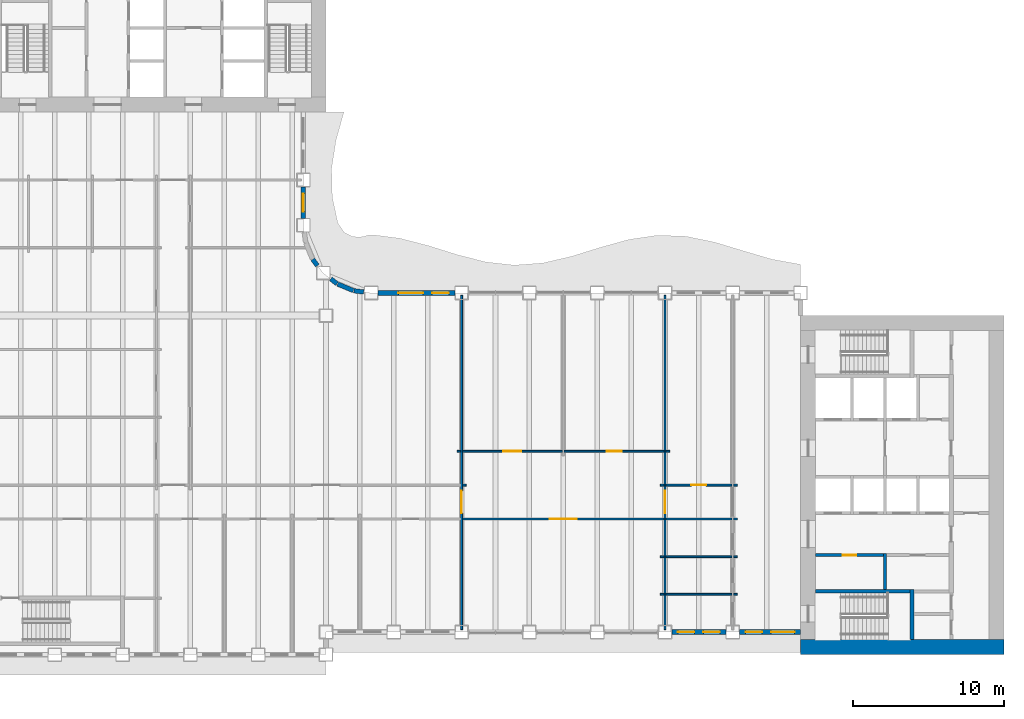
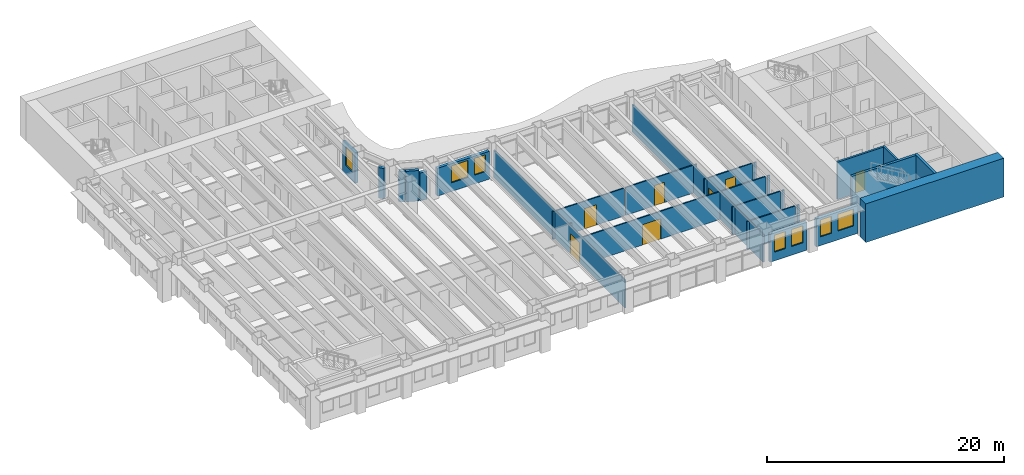
# One storey, part 7 of 17: 32 walls, 7 doors, 7 windows, 14 openings.
"""IFC4 building model written with IfcOpenShell, lengths in metres."""

import ifcopenshell
import ifcopenshell.guid

model = None  # the IFC model being written
_history = None  # IfcOwnerHistory: only IFC2X3 demands one
_inside = {}  # id of a spatial element -> (the spatial element, [elements in it])
_under = {}  # id of a project, library or spatial element -> (it, [spatial elements below it])
_declared = {}  # id of a project -> (the project, [libraries it declares])
_typed = {}  # id of a type object -> (the type object, [elements of that type])
_made_of = {}  # id of a material, layer set ... -> (it, [elements and type objects made of it])


def new_model(schema):
    """Start an empty IFC model of exactly this schema.

    Asked for "IFC4X3", IfcOpenShell would pick the latest addendum, in which some entities
    have other attributes; the version numbers below select the first issue.
    IFC2X3 requires an IfcOwnerHistory on every rooted entity: one is made here for all.
    """
    global model, _history
    if schema == "IFC4X3":
        model = ifcopenshell.file(schema_version=(4, 3, 0, 0))
    else:
        model = ifcopenshell.file(schema=schema)
    _inside.clear()
    _under.clear()
    _declared.clear()
    _typed.clear()
    _made_of.clear()
    _history = None
    if model.schema == "IFC2X3":
        org = make("IfcOrganization", Name="unknown")
        user = make(
            "IfcPersonAndOrganization",
            ThePerson=make("IfcPerson", FamilyName="unknown"),
            TheOrganization=org,
        )
        app = make(
            "IfcApplication",
            ApplicationDeveloper=org,
            Version="unknown",
            ApplicationFullName="unknown",
            ApplicationIdentifier="unknown",
        )
        _history = make(
            "IfcOwnerHistory",
            OwningUser=user,
            OwningApplication=app,
            ChangeAction="ADDED",
            CreationDate=0,
        )
    return model


def make(cls, **values):
    """One entity of the class cls with the attributes given. An attribute that is None is left unset."""
    return model.create_entity(
        cls, **{name: value for name, value in values.items() if value is not None}
    )


def rooted(cls, **values):
    """An entity with a GlobalId (a new one), such as an element, a storey or a relation."""
    return make(cls, GlobalId=ifcopenshell.guid.new(), OwnerHistory=_history, **values)


def si_unit(unit_type, name, prefix=None):
    """IfcSIUnit, for example si_unit("LENGTHUNIT", "METRE", prefix="MILLI")."""
    return make("IfcSIUnit", UnitType=unit_type, Prefix=prefix, Name=name)


def assignment(units):
    """IfcUnitAssignment: the units of a project."""
    return None if units is None else make("IfcUnitAssignment", Units=units)


def point(xyz):
    """IfcCartesianPoint."""
    return None if xyz is None else make("IfcCartesianPoint", Coordinates=xyz)


def direction(xyz):
    """IfcDirection."""
    return None if xyz is None else make("IfcDirection", DirectionRatios=xyz)


def frame(location, z_axis=None, x_axis=None):
    """IfcAxis2Placement3D, a coordinate frame: its origin and axes. An axis left out is left unset."""
    return make(
        "IfcAxis2Placement3D",
        Location=point(location),
        Axis=direction(z_axis),
        RefDirection=direction(x_axis),
    )


def frame_2d(location, x_axis=None):
    """IfcAxis2Placement2D, a coordinate frame in the plane: its origin and x axis."""
    return make(
        "IfcAxis2Placement2D", Location=point(location), RefDirection=direction(x_axis)
    )


def origin():
    """The frame at (0, 0, 0) with its axes left unset."""
    return frame((0.0, 0.0, 0.0))


def place(relative_to, where):
    """IfcLocalPlacement: puts the frame where relative to a parent placement (None: the world)."""
    return make(
        "IfcLocalPlacement", PlacementRelTo=relative_to, RelativePlacement=where
    )


def context(
    kind, dimensions, precision=None, world=None, true_north=None, identifier=None
):
    """IfcGeometricRepresentationContext, for example the 3D "Model" context."""
    return make(
        "IfcGeometricRepresentationContext",
        ContextIdentifier=identifier,
        ContextType=kind,
        CoordinateSpaceDimension=dimensions,
        Precision=precision,
        WorldCoordinateSystem=world,
        TrueNorth=true_north,
    )


def subcontext(parent, identifier, kind, view, scale=None):
    """IfcGeometricRepresentationSubContext, for example "Body" below "Model"."""
    return make(
        "IfcGeometricRepresentationSubContext",
        ContextIdentifier=identifier,
        ContextType=kind,
        ParentContext=parent,
        TargetScale=scale,
        TargetView=view,
    )


def project(units=None, contexts=None):
    """IfcProject with its units and contexts."""
    return rooted(
        "IfcProject",
        Name="project",
        RepresentationContexts=contexts,
        UnitsInContext=assignment(units),
    )


def spatial(cls, under=None, at=None, **own):
    """A site, building, storey or space (cls), placed at a placement, below another one or the project."""
    s = rooted(cls, ObjectPlacement=at, **own)
    if under is not None:
        _under.setdefault(under.id(), (under, []))[1].append(s)
    return s


def profile(cls, at=None, kind="AREA", **sizes):
    """A parametric profile (cls). Its sizes go by their IFC names, for example OverallWidth=200.0."""
    return make(cls, ProfileType=kind, Position=at, **sizes)


def rectangle(**sizes):
    """IfcRectangleProfileDef."""
    return profile("IfcRectangleProfileDef", **sizes)


def extrude(swept, where, along, depth):
    """IfcExtrudedAreaSolid: the profile swept, set in the frame where, extruded along a direction by depth."""
    return make(
        "IfcExtrudedAreaSolid",
        SweptArea=swept,
        Position=where,
        ExtrudedDirection=direction(along),
        Depth=depth,
    )


def shape(context_of_items, identifier, shape_type, items):
    """IfcShapeRepresentation: the items that make up one representation, for example the "Body"."""
    return make(
        "IfcShapeRepresentation",
        ContextOfItems=context_of_items,
        RepresentationIdentifier=identifier,
        RepresentationType=shape_type,
        Items=items,
    )


def material(Name=None, Category=None):
    """IfcMaterial."""
    return make("IfcMaterial", Name=Name, Category=Category)


def layer(
    of_material, thickness, ventilated=None, Name=None, Category=None, Priority=None
):
    """IfcMaterialLayer: one layer of a wall or slab, of a material (None: an air gap)."""
    return make(
        "IfcMaterialLayer",
        Material=of_material,
        LayerThickness=thickness,
        IsVentilated=ventilated,
        Name=Name,
        Category=Category,
        Priority=Priority,
    )


def layer_set(layers, Name=None):
    """IfcMaterialLayerSet."""
    return make("IfcMaterialLayerSet", MaterialLayers=layers, LayerSetName=Name)


def made_of(thing, what):
    """Note that an element or type object is made of a material, layer set ...; save() writes the relation."""
    if what is not None:
        _made_of.setdefault(what.id(), (what, []))[1].append(thing)
    return thing


def type_object(cls, material=None, **own):
    """A type object (cls), such as IfcWallType, which elements share."""
    return made_of(rooted(cls, **own), material)


def element(
    cls,
    number,
    at=None,
    inside=None,
    cuts=None,
    type_object=None,
    material=None,
    context=None,
    identifier="Body",
    shape_type=None,
    held_by="IfcProductDefinitionShape",
    body=None,
    shapes=None,
    **own,
):
    """One element of the class cls, such as IfcWall. Its Tag is "e" and its number.

    at: its placement. inside: the storey or other place that contains it. cuts: it is an
    opening in that element (IfcRelVoidsElement). A single representation is given by context,
    identifier, shape_type and body (its items); several are given by shapes. held_by: the class
    of the entity that holds the representations. save() writes the other relations.
    """
    e = rooted(cls, Tag="e%d" % number, ObjectPlacement=at, **own)
    if body is not None:
        shapes = [shape(context, identifier, shape_type, body)]
    if shapes is not None:
        e.Representation = make(held_by, Representations=shapes)
    if inside is not None:
        _inside.setdefault(inside.id(), (inside, []))[1].append(e)
    if cuts is not None:
        rooted(
            "IfcRelVoidsElement", RelatingBuildingElement=cuts, RelatedOpeningElement=e
        )
    if type_object is not None:
        _typed.setdefault(type_object.id(), (type_object, []))[1].append(e)
    return made_of(e, material)


def fill(opening, filler):
    """IfcRelFillsElement: the door or window that sits in an opening."""
    return rooted(
        "IfcRelFillsElement",
        RelatingOpeningElement=opening,
        RelatedBuildingElement=filler,
    )


def aggregate(whole, parts):
    """IfcRelAggregates: a whole, such as a stair, and the parts it consists of."""
    return rooted("IfcRelAggregates", RelatingObject=whole, RelatedObjects=parts)


def save(model, path):
    """Write the relations noted so far, then the file.

    IfcRelAggregates (storeys below a building ...), IfcRelContainedInSpatialStructure (elements
    in a storey), IfcRelDefinesByType, IfcRelAssociatesMaterial and IfcRelDeclares: one each for
    every whole, place, type object, material and project.
    """
    for whole, parts in _under.values():
        aggregate(whole, parts)
    for where, things in _inside.values():
        rooted(
            "IfcRelContainedInSpatialStructure",
            RelatedElements=things,
            RelatingStructure=where,
        )
    for kind, things in _typed.values():
        rooted("IfcRelDefinesByType", RelatedObjects=things, RelatingType=kind)
    for what, things in _made_of.values():
        rooted("IfcRelAssociatesMaterial", RelatedObjects=things, RelatingMaterial=what)
    for by, libraries in _declared.values():
        rooted("IfcRelDeclares", RelatingContext=by, RelatedDefinitions=libraries)
    model.write(path)


model = new_model("IFC4")

# Units and contexts
model_context = context("Model", 3, precision=1e-05, world=origin(), true_north=direction((0.0, 1.0)))
body_context = subcontext(model_context, "Body", "Model", "MODEL_VIEW")
ifc_project = project(units=[si_unit("LENGTHUNIT", "METRE"), si_unit("AREAUNIT", "SQUARE_METRE"), si_unit("VOLUMEUNIT", "CUBIC_METRE"), si_unit("PLANEANGLEUNIT", "RADIAN"), si_unit("MASSUNIT", "GRAM", prefix="KILO")], contexts=[model_context])

# Site, building, storey
site_placement = place(None, origin())
site = spatial("IfcSite", under=ifc_project, at=site_placement, CompositionType="ELEMENT")
building_placement = place(site_placement, origin())
building = spatial("IfcBuilding", under=site, at=building_placement, Name="Sennacour Bend Tower", CompositionType="ELEMENT")
storey_placement = place(building_placement, frame((0.0, 0.0, 151.0)))
storey = spatial("IfcBuildingStorey", under=building, at=storey_placement, Name="L34", CompositionType="ELEMENT", Elevation=151.0)

# Walls
ifc_material_1 = material(Name="Concrete C60/75", Category="concrete")
ifc_layer_1 = layer(ifc_material_1, 1.0, Name="Concrete C60/75", Category="concrete")
ifc_layer_set_1 = layer_set([ifc_layer_1], Name="Concrete C60/75")
wall_type_1 = type_object("IfcWallType", Name="Core wall 1000 C60/75", PredefinedType="SHEAR", material=ifc_layer_set_1)
wall_1_placement = place(storey_placement, frame((67.5, 0.5, -0.14990234375), z_axis=(0.0, 0.0, 1.0), x_axis=(-1.0, 0.0, 0.0)))
element("IfcWall", 1, at=wall_1_placement, inside=storey, type_object=wall_type_1, Name="Core A wall L34 S", PredefinedType="SHEAR", context=body_context, shape_type="SweptSolid", body=[
    extrude(rectangle(XDim=13.5, YDim=1.0, at=frame_2d((6.75, 0.0))), origin(), (0.0, 0.0, 1.0), 4.0),
])
ifc_material_2 = material(Name="Plasterboard partition on steel studs", Category="steel")
ifc_layer_2 = layer(ifc_material_2, 0.1201171875, Name="Plasterboard partition on steel studs", Category="steel")
ifc_layer_set_2 = layer_set([ifc_layer_2], Name="Plasterboard partition on steel studs")
wall_type_2 = type_object("IfcWallType", Name="Partition 120", PredefinedType="PARTITIONING", material=ifc_layer_set_2)
wall_2_placement = place(storey_placement, frame((44.699951171875, 4.0, 0.0), z_axis=(0.0, 0.0, 1.0), x_axis=(1.0, 0.0, 0.0)))
element("IfcWall", 2, at=wall_2_placement, inside=storey, type_object=wall_type_2, Name="P-L34-W052aa", PredefinedType="PARTITIONING", context=body_context, shape_type="SweptSolid", body=[
    extrude(rectangle(XDim=0.239990234375, YDim=0.1201171875, at=frame_2d((0.1201171875, 0.0))), origin(), (0.0, 0.0, 1.0), 2.8701171875),
])
wall_3_placement = place(storey_placement, frame((45.06005859375, 4.0, 0.0), z_axis=(0.0, 0.0, 1.0), x_axis=(1.0, 0.0, 0.0)))
element("IfcWall", 3, at=wall_3_placement, inside=storey, type_object=wall_type_2, Name="P-L34-W052ab", PredefinedType="PARTITIONING", context=body_context, shape_type="SweptSolid", body=[
    extrude(rectangle(XDim=4.3798828125, YDim=0.1201171875, at=frame_2d((2.18994140625, 0.0))), origin(), (0.0, 0.0, 1.0), 2.8701171875),
])
for number, where, z_axis, x_axis, name in (
    (4, (49.56005859375, 4.0, 0.0), (0.0, 0.0, 1.0), (1.0, 0.0, 0.0), "P-L34-W052ac"),
    (5, (44.699951171875, 6.5, 0.0), (0.0, 0.0, 1.0), (1.0, 0.0, 0.0), "P-L34-W055aa"),
):
    element("IfcWall", number, at=place(storey_placement, frame(where, z_axis=z_axis, x_axis=x_axis)), inside=storey, type_object=wall_type_2, Name=name, PredefinedType="PARTITIONING", context=body_context, shape_type="SweptSolid", body=[
        extrude(rectangle(XDim=0.239990234375, YDim=0.1201171875, at=frame_2d((0.1201171875, 0.0))), origin(), (0.0, 0.0, 1.0), 2.8701171875),
    ])
wall_4_placement = place(storey_placement, frame((45.06005859375, 6.5, 0.0), z_axis=(0.0, 0.0, 1.0), x_axis=(1.0, 0.0, 0.0)))
element("IfcWall", 6, at=wall_4_placement, inside=storey, type_object=wall_type_2, Name="P-L34-W055ab", PredefinedType="PARTITIONING", context=body_context, shape_type="SweptSolid", body=[
    extrude(rectangle(XDim=4.3798828125, YDim=0.1201171875, at=frame_2d((2.18994140625, 0.0))), origin(), (0.0, 0.0, 1.0), 2.8701171875),
])
wall_5_placement = place(storey_placement, frame((49.56005859375, 6.5, 0.0), z_axis=(0.0, 0.0, 1.0), x_axis=(1.0, 0.0, 0.0)))
element("IfcWall", 7, at=wall_5_placement, inside=storey, type_object=wall_type_2, Name="P-L34-W055ac", PredefinedType="PARTITIONING", context=body_context, shape_type="SweptSolid", body=[
    extrude(rectangle(XDim=0.239990234375, YDim=0.1201171875, at=frame_2d((0.1201171875, 0.0))), origin(), (0.0, 0.0, 1.0), 2.8701171875),
])

# Wall, opening, door
wall_6_placement = place(storey_placement, frame((31.56005859375, 9.0, 0.0), z_axis=(0.0, 0.0, 1.0), x_axis=(1.0, 0.0, 0.0)))
wall_6 = element("IfcWall", 8, at=wall_6_placement, inside=storey, type_object=wall_type_2, Name="P-L34-W057af", PredefinedType="PARTITIONING", context=body_context, shape_type="SweptSolid", body=[
    extrude(rectangle(XDim=13.3798828125, YDim=0.1201171875, at=frame_2d((6.68994140625, 0.0))), origin(), (0.0, 0.0, 1.0), 2.8701171875),
])
opening_1_placement = place(wall_6_placement, frame((5.789794921875, 0.0, 0.0)))
opening_1 = element("IfcOpeningElement", 9, at=opening_1_placement, cuts=wall_6, Name="Opening OD3", PredefinedType="OPENING", context=body_context, shape_type="SweptSolid", body=[
    extrude(rectangle(XDim=1.800048828125, YDim=2.10009765625, at=frame_2d((0.89990234375, 1.050048828125))), frame((0.0, 0.070068359375, 0.0), z_axis=(0.0, -1.0, 0.0), x_axis=(1.0, 0.0, 0.0)), (0.0, 0.0, 1.0), 0.14013671875),
])
ifc_material_3 = material(Name="Timber", Category="wood")
door_type_1 = type_object("IfcDoorType", Name="DR-OFFICE-1800", OperationType="NOTDEFINED", PredefinedType="DOOR", material=ifc_material_3)
door_1_placement = place(opening_1_placement, origin())
door_1 = element("IfcDoor", 10, at=door_1_placement, inside=storey, type_object=door_type_1, Name="Door", OperationType="DOUBLE_DOOR_SINGLE_SWING", OverallHeight=2.10009765625, OverallWidth=1.800048828125, PredefinedType="DOOR", context=body_context, shape_type="SweptSolid", body=[
    extrude(rectangle(XDim=1.800048828125, YDim=2.10009765625, at=frame_2d((0.89990234375, 1.050048828125))), frame((0.0, 0.02490234375, 0.0), z_axis=(0.0, -1.0, 0.0), x_axis=(1.0, 0.0, 0.0)), (0.0, 0.0, 1.0), 0.050048828125),
])
fill(opening_1, door_1)

# Walls
wall_7_placement = place(storey_placement, frame((45.06005859375, 9.0, 0.0), z_axis=(0.0, 0.0, 1.0), x_axis=(1.0, 0.0, 0.0)))
element("IfcWall", 11, at=wall_7_placement, inside=storey, type_object=wall_type_2, Name="P-L34-W057ag", PredefinedType="PARTITIONING", context=body_context, shape_type="SweptSolid", body=[
    extrude(rectangle(XDim=4.3798828125, YDim=0.1201171875, at=frame_2d((2.18994140625, 0.0))), origin(), (0.0, 0.0, 1.0), 2.8701171875),
])
for number, where, z_axis, x_axis, name in (
    (12, (49.56005859375, 9.0, 0.0), (0.0, 0.0, 1.0), (1.0, 0.0, 0.0), "P-L34-W057ah"),
    (13, (31.56005859375, 11.25, 0.0), (0.0, 0.0, 1.0), (1.0, 0.0, 0.0), "P-L34-W060ad"),
    (14, (44.699951171875, 11.25, 0.0), (0.0, 0.0, 1.0), (1.0, 0.0, 0.0), "P-L34-W061aa"),
):
    element("IfcWall", number, at=place(storey_placement, frame(where, z_axis=z_axis, x_axis=x_axis)), inside=storey, type_object=wall_type_2, Name=name, PredefinedType="PARTITIONING", context=body_context, shape_type="SweptSolid", body=[
        extrude(rectangle(XDim=0.239990234375, YDim=0.1201171875, at=frame_2d((0.1201171875, 0.0))), origin(), (0.0, 0.0, 1.0), 2.8701171875),
    ])

# Wall, opening, door
wall_8_placement = place(storey_placement, frame((45.06005859375, 11.25, 0.0), z_axis=(0.0, 0.0, 1.0), x_axis=(1.0, 0.0, 0.0)))
wall_8 = element("IfcWall", 15, at=wall_8_placement, inside=storey, type_object=wall_type_2, Name="P-L34-W061ab", PredefinedType="PARTITIONING", context=body_context, shape_type="SweptSolid", body=[
    extrude(rectangle(XDim=4.3798828125, YDim=0.1201171875, at=frame_2d((2.18994140625, 0.0))), origin(), (0.0, 0.0, 1.0), 2.8701171875),
])
opening_2_placement = place(wall_8_placement, frame((1.68994140625, 0.0, 0.0)))
opening_2 = element("IfcOpeningElement", 16, at=opening_2_placement, cuts=wall_8, Name="Opening OD2", PredefinedType="OPENING", context=body_context, shape_type="SweptSolid", body=[
    extrude(rectangle(XDim=1.0, YDim=2.10009765625, at=frame_2d((0.5, 1.050048828125))), frame((0.0, 0.070068359375, 0.0), z_axis=(0.0, -1.0, 0.0), x_axis=(1.0, 0.0, 0.0)), (0.0, 0.0, 1.0), 0.14013671875),
])
door_type_2 = type_object("IfcDoorType", Name="DR-OFFICE-1000", OperationType="NOTDEFINED", PredefinedType="DOOR", material=ifc_material_3)
door_2_placement = place(opening_2_placement, origin())
door_2 = element("IfcDoor", 17, at=door_2_placement, inside=storey, type_object=door_type_2, Name="Door", OperationType="SINGLE_SWING_LEFT", OverallHeight=2.10009765625, OverallWidth=1.0, PredefinedType="DOOR", context=body_context, shape_type="SweptSolid", body=[
    extrude(rectangle(XDim=1.0, YDim=2.10009765625, at=frame_2d((0.5, 1.050048828125))), frame((0.0, 0.02490234375, 0.0), z_axis=(0.0, -1.0, 0.0), x_axis=(1.0, 0.0, 0.0)), (0.0, 0.0, 1.0), 0.050048828125),
])
fill(opening_2, door_2)

# Walls
for number, where, z_axis, x_axis, name in (
    (18, (49.56005859375, 11.25, 0.0), (0.0, 0.0, 1.0), (1.0, 0.0, 0.0), "P-L34-W061ac"),
    (19, (31.199951171875, 13.5, 0.0), (0.0, 0.0, 1.0), (1.0, 0.0, 0.0), "P-L34-W064aa"),
):
    element("IfcWall", number, at=place(storey_placement, frame(where, z_axis=z_axis, x_axis=x_axis)), inside=storey, type_object=wall_type_2, Name=name, PredefinedType="PARTITIONING", context=body_context, shape_type="SweptSolid", body=[
        extrude(rectangle(XDim=0.239990234375, YDim=0.1201171875, at=frame_2d((0.1201171875, 0.0))), origin(), (0.0, 0.0, 1.0), 2.8701171875),
    ])

# Wall, opening, door
wall_9_placement = place(storey_placement, frame((31.56005859375, 13.5, 0.0), z_axis=(0.0, 0.0, 1.0), x_axis=(1.0, 0.0, 0.0)))
wall_9 = element("IfcWall", 20, at=wall_9_placement, inside=storey, type_object=wall_type_2, Name="P-L34-W064ab", PredefinedType="PARTITIONING", context=body_context, shape_type="SweptSolid", body=[
    extrude(rectangle(XDim=6.6298828125, YDim=0.1201171875, at=frame_2d((3.31494140625, 0.0))), origin(), (0.0, 0.0, 1.0), 2.8701171875),
])
opening_3_placement = place(wall_9_placement, frame((2.71484375, 0.0, 0.0)))
opening_3 = element("IfcOpeningElement", 21, at=opening_3_placement, cuts=wall_9, Name="Opening MD", PredefinedType="OPENING", context=body_context, shape_type="SweptSolid", body=[
    extrude(rectangle(XDim=1.199951171875, YDim=2.10009765625, at=frame_2d((0.60009765625, 1.050048828125))), frame((0.0, 0.070068359375, 0.0), z_axis=(0.0, -1.0, 0.0), x_axis=(1.0, 0.0, 0.0)), (0.0, 0.0, 1.0), 0.14013671875),
])
door_type_3 = type_object("IfcDoorType", Name="DR-MEETING-1200", OperationType="NOTDEFINED", PredefinedType="DOOR", material=ifc_material_3)
door_3_placement = place(opening_3_placement, origin())
door_3 = element("IfcDoor", 22, at=door_3_placement, inside=storey, type_object=door_type_3, Name="Door", OperationType="SINGLE_SWING_LEFT", OverallHeight=2.10009765625, OverallWidth=1.199951171875, PredefinedType="DOOR", context=body_context, shape_type="SweptSolid", body=[
    extrude(rectangle(XDim=1.199951171875, YDim=2.10009765625, at=frame_2d((0.60009765625, 1.050048828125))), frame((0.0, 0.02490234375, 0.0), z_axis=(0.0, -1.0, 0.0), x_axis=(1.0, 0.0, 0.0)), (0.0, 0.0, 1.0), 0.050048828125),
])
fill(opening_3, door_3)

wall_10_placement = place(storey_placement, frame((38.31005859375, 13.5, 0.0), z_axis=(0.0, 0.0, 1.0), x_axis=(1.0, 0.0, 0.0)))
wall_10 = element("IfcWall", 23, at=wall_10_placement, inside=storey, type_object=wall_type_2, Name="P-L34-W064ac", PredefinedType="PARTITIONING", context=body_context, shape_type="SweptSolid", body=[
    extrude(rectangle(XDim=6.6298828125, YDim=0.1201171875, at=frame_2d((3.31494140625, 0.0))), origin(), (0.0, 0.0, 1.0), 2.8701171875),
])
opening_4_placement = place(wall_10_placement, frame((2.81494140625, 0.0, 0.0)))
opening_4 = element("IfcOpeningElement", 24, at=opening_4_placement, cuts=wall_10, Name="Opening MD2", PredefinedType="OPENING", context=body_context, shape_type="SweptSolid", body=[
    extrude(rectangle(XDim=1.0, YDim=2.10009765625, at=frame_2d((0.5, 1.050048828125))), frame((0.0, 0.070068359375, 0.0), z_axis=(0.0, -1.0, 0.0), x_axis=(1.0, 0.0, 0.0)), (0.0, 0.0, 1.0), 0.14013671875),
])
door_type_4 = type_object("IfcDoorType", Name="DR-MEETING-1000", OperationType="NOTDEFINED", PredefinedType="DOOR", material=ifc_material_3)
door_4_placement = place(opening_4_placement, origin())
door_4 = element("IfcDoor", 25, at=door_4_placement, inside=storey, type_object=door_type_4, Name="Door", OperationType="SINGLE_SWING_LEFT", OverallHeight=2.10009765625, OverallWidth=1.0, PredefinedType="DOOR", context=body_context, shape_type="SweptSolid", body=[
    extrude(rectangle(XDim=1.0, YDim=2.10009765625, at=frame_2d((0.5, 1.050048828125))), frame((0.0, 0.02490234375, 0.0), z_axis=(0.0, -1.0, 0.0), x_axis=(1.0, 0.0, 0.0)), (0.0, 0.0, 1.0), 0.050048828125),
])
fill(opening_4, door_4)

# Wall
wall_11_placement = place(storey_placement, frame((45.06005859375, 13.5, 0.0), z_axis=(0.0, 0.0, 1.0), x_axis=(1.0, 0.0, 0.0)))
element("IfcWall", 26, at=wall_11_placement, inside=storey, type_object=wall_type_2, Name="P-L34-W064ad", PredefinedType="PARTITIONING", context=body_context, shape_type="SweptSolid", body=[
    extrude(rectangle(XDim=0.239990234375, YDim=0.1201171875, at=frame_2d((0.1201171875, 0.0))), origin(), (0.0, 0.0, 1.0), 2.8701171875),
])

# Wall, opening, door
ifc_layer_3 = layer(ifc_material_2, 0.1201171875, Name="Plasterboard partition on steel studs", Category="steel")
ifc_layer_set_3 = layer_set([ifc_layer_3], Name="Plasterboard partition on steel studs")
wall_type_3 = type_object("IfcWallType", Name="Partition 120 EI 30", PredefinedType="PARTITIONING", material=ifc_layer_set_3)
wall_12_placement = place(storey_placement, frame((31.5, 1.64990234375, 0.0), z_axis=(0.0, 0.0, 1.0), x_axis=(0.0, 1.0, 0.0)))
wall_12 = element("IfcWall", 27, at=wall_12_placement, inside=storey, type_object=wall_type_3, Name="P-L34-W027a", PredefinedType="PARTITIONING", context=body_context, shape_type="SweptSolid", body=[
    extrude(rectangle(XDim=22.2001953125, YDim=0.1201171875, at=frame_2d((11.10009765625, 0.0))), origin(), (0.0, 0.0, 1.0), 2.8701171875),
])
opening_5_placement = place(wall_12_placement, frame((7.72509765625, 0.0, 0.0)))
opening_5 = element("IfcOpeningElement", 28, at=opening_5_placement, cuts=wall_12, Name="Opening KD", PredefinedType="OPENING", context=body_context, shape_type="SweptSolid", body=[
    extrude(rectangle(XDim=1.5, YDim=2.10009765625, at=frame_2d((0.75, 1.050048828125))), frame((0.0, 0.070068359375, 0.0), z_axis=(0.0, -1.0, 0.0), x_axis=(1.0, 0.0, 0.0)), (0.0, 0.0, 1.0), 0.14013671875),
])
ifc_material_4 = material(Name="Painted steel", Category="steel")
door_type_5 = type_object("IfcDoorType", Name="DR-CORRIDOR-1500", OperationType="NOTDEFINED", PredefinedType="DOOR", material=ifc_material_4)
door_5_placement = place(opening_5_placement, origin())
door_5 = element("IfcDoor", 29, at=door_5_placement, inside=storey, type_object=door_type_5, Name="Door", OperationType="SINGLE_SWING_LEFT", OverallHeight=2.10009765625, OverallWidth=1.5, PredefinedType="DOOR", context=body_context, shape_type="SweptSolid", body=[
    extrude(rectangle(XDim=1.5, YDim=2.10009765625, at=frame_2d((0.75, 1.050048828125))), frame((0.0, 0.02490234375, 0.0), z_axis=(0.0, -1.0, 0.0), x_axis=(1.0, 0.0, 0.0)), (0.0, 0.0, 1.0), 0.050048828125),
])
fill(opening_5, door_5)

wall_13_placement = place(storey_placement, frame((45.0, 1.64990234375, 0.0), z_axis=(0.0, 0.0, 1.0), x_axis=(0.0, 1.0, 0.0)))
wall_13 = element("IfcWall", 30, at=wall_13_placement, inside=storey, type_object=wall_type_3, Name="P-L34-W029a", PredefinedType="PARTITIONING", context=body_context, shape_type="SweptSolid", body=[
    extrude(rectangle(XDim=22.2001953125, YDim=0.1201171875, at=frame_2d((11.10009765625, 0.0))), origin(), (0.0, 0.0, 1.0), 2.8701171875),
])
opening_6_placement = place(wall_13_placement, frame((7.72509765625, 0.0, 0.0)))
opening_6 = element("IfcOpeningElement", 31, at=opening_6_placement, cuts=wall_13, Name="Opening KD", PredefinedType="OPENING", context=body_context, shape_type="SweptSolid", body=[
    extrude(rectangle(XDim=1.5, YDim=2.10009765625, at=frame_2d((0.75, 1.050048828125))), frame((0.0, 0.070068359375, 0.0), z_axis=(0.0, -1.0, 0.0), x_axis=(1.0, 0.0, 0.0)), (0.0, 0.0, 1.0), 0.14013671875),
])
door_6_placement = place(opening_6_placement, origin())
door_6 = element("IfcDoor", 32, at=door_6_placement, inside=storey, type_object=door_type_5, Name="Door", OperationType="SINGLE_SWING_LEFT", OverallHeight=2.10009765625, OverallWidth=1.5, PredefinedType="DOOR", context=body_context, shape_type="SweptSolid", body=[
    extrude(rectangle(XDim=1.5, YDim=2.10009765625, at=frame_2d((0.75, 1.050048828125))), frame((0.0, 0.02490234375, 0.0), z_axis=(0.0, -1.0, 0.0), x_axis=(1.0, 0.0, 0.0)), (0.0, 0.0, 1.0), 0.050048828125),
])
fill(opening_6, door_6)

# Wall
ifc_material_5 = material(Name="Fire-rated plasterboard partition on steel studs", Category="steel")
ifc_layer_4 = layer(ifc_material_5, 0.199951171875, Name="Fire-rated plasterboard partition on steel studs", Category="steel")
ifc_layer_set_4 = layer_set([ifc_layer_4], Name="Fire-rated plasterboard partition on steel studs")
wall_type_4 = type_object("IfcWallType", Name="Rated partition 200", PredefinedType="PARTITIONING", material=ifc_layer_set_4)
wall_14_placement = place(storey_placement, frame((59.60009765625, 4.324951171875, 0.0), z_axis=(0.0, 0.0, 1.0), x_axis=(0.0, 1.0, 0.0)))
element("IfcWall", 33, at=wall_14_placement, inside=storey, type_object=wall_type_4, Name="P-L34-W034", PredefinedType="PARTITIONING", context=body_context, shape_type="SweptSolid", body=[
    extrude(rectangle(XDim=2.375, YDim=0.199951171875, at=frame_2d((1.1875, 0.0))), origin(), (0.0, 0.0, 1.0), 3.85009765625),
])

# Wall, opening, door
wall_15_placement = place(storey_placement, frame((55.0, 6.60009765625, 0.0), z_axis=(0.0, 0.0, 1.0), x_axis=(1.0, 0.0, 0.0)))
wall_15 = element("IfcWall", 34, at=wall_15_placement, inside=storey, type_object=wall_type_4, Name="P-L34-W056a", PredefinedType="PARTITIONING", context=body_context, shape_type="SweptSolid", body=[
    extrude(rectangle(XDim=4.5, YDim=0.199951171875, at=frame_2d((2.25, 0.0))), origin(), (0.0, 0.0, 1.0), 3.85009765625),
])
opening_7_placement = place(wall_15_placement, frame((1.800048828125, 0.0, 0.0)))
opening_7 = element("IfcOpeningElement", 35, at=opening_7_placement, cuts=wall_15, Name="Opening SV", PredefinedType="OPENING", context=body_context, shape_type="SweptSolid", body=[
    extrude(rectangle(XDim=0.89990234375, YDim=2.10009765625, at=frame_2d((0.449951171875, 1.050048828125))), frame((0.0, 0.10986328125, 0.0), z_axis=(0.0, -1.0, 0.0), x_axis=(1.0, 0.0, 0.0)), (0.0, 0.0, 1.0), 0.219970703125),
])
door_type_6 = type_object("IfcDoorType", Name="DR-SERVICE-900", OperationType="NOTDEFINED", PredefinedType="DOOR", material=ifc_material_4)
door_7_placement = place(opening_7_placement, origin())
door_7 = element("IfcDoor", 36, at=door_7_placement, inside=storey, type_object=door_type_6, Name="Door", OperationType="SINGLE_SWING_LEFT", OverallHeight=2.10009765625, OverallWidth=0.89990234375, PredefinedType="DOOR", context=body_context, shape_type="SweptSolid", body=[
    extrude(rectangle(XDim=0.89990234375, YDim=2.10009765625, at=frame_2d((0.449951171875, 1.050048828125))), frame((0.0, 0.02490234375, 0.0), z_axis=(0.0, -1.0, 0.0), x_axis=(1.0, 0.0, 0.0)), (0.0, 0.0, 1.0), 0.050048828125),
])
fill(opening_7, door_7)

# Wall, openings, windows
ifc_material_6 = material(Name="Warm limestone cladding", Category="masonry")
ifc_layer_5 = layer(ifc_material_6, 0.050048828125, Name="Warm limestone cladding", Category="masonry")
ifc_material_7 = material(Name="Precast concrete C40/50", Category="concrete")
ifc_layer_6 = layer(ifc_material_7, 0.25, Name="Precast concrete C40/50", Category="concrete")
ifc_layer_set_5 = layer_set([ifc_layer_5, ifc_layer_6], Name="Precast concrete C40/50 with limestone cladding")
wall_type_5 = type_object("IfcWallType", Name="STONE-CLAD PRECAST SPANDREL 300", PredefinedType="STANDARD", material=ifc_layer_set_5)
wall_16_placement = place(storey_placement, frame((45.449951171875, 1.5, 0.0), z_axis=(0.0, 0.0, 1.0), x_axis=(1.0, 0.0, 0.0)))
wall_16 = element("IfcWall", 37, at=wall_16_placement, inside=storey, type_object=wall_type_5, Name="Stone spandrel and pier wall L34 02.05", PredefinedType="STANDARD", context=body_context, shape_type="SweptSolid", body=[
    extrude(rectangle(XDim=3.60009765625, YDim=0.300048828125, at=frame_2d((1.800048828125, 0.0))), origin(), (0.0, 0.0, 1.0), 2.8701171875),
])
opening_8_placement = place(wall_16_placement, frame((0.39990234375, 0.0, 0.89990234375)))
opening_8 = element("IfcOpeningElement", 38, at=opening_8_placement, cuts=wall_16, Name="Opening W17", PredefinedType="OPENING", context=body_context, shape_type="SweptSolid", body=[
    extrude(rectangle(XDim=1.10009765625, YDim=1.75, at=frame_2d((0.550048828125, 0.875))), frame((0.0, 0.16015625, 0.0), z_axis=(0.0, -1.0, 0.0), x_axis=(1.0, 0.0, 0.0)), (0.0, 0.0, 1.0), 0.320068359375),
])
opening_9_placement = place(wall_16_placement, frame((2.10009765625, 0.0, 0.89990234375)))
opening_9 = element("IfcOpeningElement", 39, at=opening_9_placement, cuts=wall_16, Name="Opening W17", PredefinedType="OPENING", context=body_context, shape_type="SweptSolid", body=[
    extrude(rectangle(XDim=1.10009765625, YDim=1.75, at=frame_2d((0.550048828125, 0.875))), frame((0.0, 0.16015625, 0.0), z_axis=(0.0, -1.0, 0.0), x_axis=(1.0, 0.0, 0.0)), (0.0, 0.0, 1.0), 0.320068359375),
])
ifc_material_8 = material(Name="Clear low-emissivity glass", Category="glass")
window_type_1 = type_object("IfcWindowType", Name="WIN-RIBBON-1100x1750", PartitioningType="SINGLE_PANEL", PredefinedType="WINDOW", material=ifc_material_8)
window_1_placement = place(opening_8_placement, origin())
window_1 = element("IfcWindow", 40, at=window_1_placement, inside=storey, type_object=window_type_1, Name="Ribbon window L34 02.05.0", OverallHeight=1.75, OverallWidth=1.10009765625, PartitioningType="SINGLE_PANEL", PredefinedType="WINDOW", context=body_context, shape_type="SweptSolid", body=[
    extrude(rectangle(XDim=1.10009765625, YDim=1.75, at=frame_2d((0.550048828125, 0.875))), frame((0.0, 0.030029296875, 0.0), z_axis=(0.0, -1.0, 0.0), x_axis=(1.0, 0.0, 0.0)), (0.0, 0.0, 1.0), 0.06005859375),
])
fill(opening_8, window_1)
window_2_placement = place(opening_9_placement, origin())
window_2 = element("IfcWindow", 41, at=window_2_placement, inside=storey, type_object=window_type_1, Name="Ribbon window L34 02.05.1", OverallHeight=1.75, OverallWidth=1.10009765625, PartitioningType="SINGLE_PANEL", PredefinedType="WINDOW", context=body_context, shape_type="SweptSolid", body=[
    extrude(rectangle(XDim=1.10009765625, YDim=1.75, at=frame_2d((0.550048828125, 0.875))), frame((0.0, 0.030029296875, 0.0), z_axis=(0.0, -1.0, 0.0), x_axis=(1.0, 0.0, 0.0)), (0.0, 0.0, 1.0), 0.06005859375),
])
fill(opening_9, window_2)

wall_17_placement = place(storey_placement, frame((49.949951171875, 1.5, 0.0), z_axis=(0.0, 0.0, 1.0), x_axis=(1.0, 0.0, 0.0)))
wall_17 = element("IfcWall", 42, at=wall_17_placement, inside=storey, type_object=wall_type_5, Name="Stone spandrel and pier wall L34 02.06", PredefinedType="STANDARD", context=body_context, shape_type="SweptSolid", body=[
    extrude(rectangle(XDim=4.050048828125, YDim=0.300048828125, at=frame_2d((2.02490234375, 0.0))), origin(), (0.0, 0.0, 1.0), 2.8701171875),
])
opening_10_placement = place(wall_17_placement, frame((0.39990234375, 0.0, 0.89990234375)))
opening_10 = element("IfcOpeningElement", 43, at=opening_10_placement, cuts=wall_17, Name="Opening W17", PredefinedType="OPENING", context=body_context, shape_type="SweptSolid", body=[
    extrude(rectangle(XDim=1.10009765625, YDim=1.75, at=frame_2d((0.550048828125, 0.875))), frame((0.0, 0.16015625, 0.0), z_axis=(0.0, -1.0, 0.0), x_axis=(1.0, 0.0, 0.0)), (0.0, 0.0, 1.0), 0.320068359375),
])
opening_11_placement = place(wall_17_placement, frame((2.10009765625, 0.0, 0.89990234375)))
opening_11 = element("IfcOpeningElement", 44, at=opening_11_placement, cuts=wall_17, Name="Opening W12", PredefinedType="OPENING", context=body_context, shape_type="SweptSolid", body=[
    extrude(rectangle(XDim=1.550048828125, YDim=1.75, at=frame_2d((0.77490234375, 0.875))), frame((0.0, 0.16015625, 0.0), z_axis=(0.0, -1.0, 0.0), x_axis=(1.0, 0.0, 0.0)), (0.0, 0.0, 1.0), 0.320068359375),
])
window_3_placement = place(opening_10_placement, origin())
window_3 = element("IfcWindow", 45, at=window_3_placement, inside=storey, type_object=window_type_1, Name="Ribbon window L34 02.06.0", OverallHeight=1.75, OverallWidth=1.10009765625, PartitioningType="SINGLE_PANEL", PredefinedType="WINDOW", context=body_context, shape_type="SweptSolid", body=[
    extrude(rectangle(XDim=1.10009765625, YDim=1.75, at=frame_2d((0.550048828125, 0.875))), frame((0.0, 0.030029296875, 0.0), z_axis=(0.0, -1.0, 0.0), x_axis=(1.0, 0.0, 0.0)), (0.0, 0.0, 1.0), 0.06005859375),
])
fill(opening_10, window_3)
window_type_2 = type_object("IfcWindowType", Name="WIN-RIBBON-1550x1750", PartitioningType="SINGLE_PANEL", PredefinedType="WINDOW", material=ifc_material_8)
window_4_placement = place(opening_11_placement, origin())
window_4 = element("IfcWindow", 46, at=window_4_placement, inside=storey, type_object=window_type_2, Name="Ribbon window L34 02.06.1", OverallHeight=1.75, OverallWidth=1.550048828125, PartitioningType="SINGLE_PANEL", PredefinedType="WINDOW", context=body_context, shape_type="SweptSolid", body=[
    extrude(rectangle(XDim=1.550048828125, YDim=1.75, at=frame_2d((0.77490234375, 0.875))), frame((0.0, 0.030029296875, 0.0), z_axis=(0.0, -1.0, 0.0), x_axis=(1.0, 0.0, 0.0)), (0.0, 0.0, 1.0), 0.06005859375),
])
fill(opening_11, window_4)

wall_18_placement = place(storey_placement, frame((31.050048828125, 24.0, 0.0), z_axis=(0.0, 0.0, 1.0), x_axis=(-1.0, 0.0, 0.0)))
wall_18 = element("IfcWall", 47, at=wall_18_placement, inside=storey, type_object=wall_type_5, Name="Stone spandrel and pier wall L34 08.05", PredefinedType="STANDARD", context=body_context, shape_type="SweptSolid", body=[
    extrude(rectangle(XDim=5.10009765625, YDim=0.300048828125, at=frame_2d((2.550048828125, 0.0))), origin(), (0.0, 0.0, 1.0), 2.8701171875),
])
opening_12_placement = place(wall_18_placement, frame((0.39990234375, 0.0, 0.89990234375)))
opening_12 = element("IfcOpeningElement", 48, at=opening_12_placement, cuts=wall_18, Name="Opening W17", PredefinedType="OPENING", context=body_context, shape_type="SweptSolid", body=[
    extrude(rectangle(XDim=1.10009765625, YDim=1.75, at=frame_2d((0.550048828125, 0.875))), frame((0.0, 0.16015625, 0.0), z_axis=(0.0, -1.0, 0.0), x_axis=(1.0, 0.0, 0.0)), (0.0, 0.0, 1.0), 0.320068359375),
])
opening_13_placement = place(wall_18_placement, frame((2.10009765625, 0.0, 0.89990234375)))
opening_13 = element("IfcOpeningElement", 49, at=opening_13_placement, cuts=wall_18, Name="Opening W18", PredefinedType="OPENING", context=body_context, shape_type="SweptSolid", body=[
    extrude(rectangle(XDim=1.64990234375, YDim=1.75, at=frame_2d((0.824951171875, 0.875))), frame((0.0, 0.16015625, 0.0), z_axis=(0.0, -1.0, 0.0), x_axis=(1.0, 0.0, 0.0)), (0.0, 0.0, 1.0), 0.320068359375),
])
window_5_placement = place(opening_12_placement, origin())
window_5 = element("IfcWindow", 50, at=window_5_placement, inside=storey, type_object=window_type_1, Name="Ribbon window L34 08.05.0", OverallHeight=1.75, OverallWidth=1.10009765625, PartitioningType="SINGLE_PANEL", PredefinedType="WINDOW", context=body_context, shape_type="SweptSolid", body=[
    extrude(rectangle(XDim=1.10009765625, YDim=1.75, at=frame_2d((0.550048828125, 0.875))), frame((0.0, 0.030029296875, 0.0), z_axis=(0.0, -1.0, 0.0), x_axis=(1.0, 0.0, 0.0)), (0.0, 0.0, 1.0), 0.06005859375),
])
fill(opening_12, window_5)
window_type_3 = type_object("IfcWindowType", Name="WIN-RIBBON-1650x1750", PartitioningType="SINGLE_PANEL", PredefinedType="WINDOW", material=ifc_material_8)
window_6_placement = place(opening_13_placement, origin())
window_6 = element("IfcWindow", 51, at=window_6_placement, inside=storey, type_object=window_type_3, Name="Ribbon window L34 08.05.1", OverallHeight=1.75, OverallWidth=1.64990234375, PartitioningType="SINGLE_PANEL", PredefinedType="WINDOW", context=body_context, shape_type="SweptSolid", body=[
    extrude(rectangle(XDim=1.64990234375, YDim=1.75, at=frame_2d((0.824951171875, 0.875))), frame((0.0, 0.030029296875, 0.0), z_axis=(0.0, -1.0, 0.0), x_axis=(1.0, 0.0, 0.0)), (0.0, 0.0, 1.0), 0.06005859375),
])
fill(opening_13, window_6)

# Walls
wall_19_placement = place(storey_placement, frame((24.99951171875, 24.06591796875, 0.0), z_axis=(0.0, 0.0, 1.0), x_axis=(-0.991423590996, 0.130687655177, 0.0)))
element("IfcWall", 52, at=wall_19_placement, inside=storey, type_object=wall_type_5, Name="Stone spandrel and pier wall L34 09.00", PredefinedType="STANDARD", context=body_context, shape_type="SweptSolid", body=[
    extrude(rectangle(XDim=0.650146484375, YDim=0.300048828125, at=frame_2d((0.3251953125, 0.0))), origin(), (0.0, 0.0, 1.0), 2.8701171875),
])
wall_20_placement = place(storey_placement, frame((24.317138671875, 24.160888671875, 0.0), z_axis=(0.0, 0.0, 1.0), x_axis=(-0.923914616768, 0.382598720491, 0.0)))
element("IfcWall", 53, at=wall_20_placement, inside=storey, type_object=wall_type_5, Name="Stone spandrel and pier wall L34 10.00", PredefinedType="STANDARD", context=body_context, shape_type="SweptSolid", body=[
    extrude(rectangle(XDim=1.13525390625, YDim=0.300048828125, at=frame_2d((0.567626953125, 0.0))), origin(), (0.0, 0.0, 1.0), 3.14892578125),
])
for number, where, z_axis, x_axis, name in (
    (54, (23.234375, 24.614990234375, 0.0), (0.0, 0.0, 1.0), (-0.793523857856, 0.608539141726, 0.0), "Stone spandrel and pier wall L34 11.00"),
    (55, (21.933837890625, 25.818603515625, 0.0), (0.0, 0.0, 1.0), (-0.608539141726, 0.793523857856, 0.0), "Stone spandrel and pier wall L34 12.00"),
):
    element("IfcWall", number, at=place(storey_placement, frame(where, z_axis=z_axis, x_axis=x_axis)), inside=storey, type_object=wall_type_5, Name=name, PredefinedType="STANDARD", context=body_context, shape_type="SweptSolid", body=[
        extrude(rectangle(XDim=0.52392578125, YDim=0.300048828125, at=frame_2d((0.261962890625, 0.0))), origin(), (0.0, 0.0, 1.0), 3.14892578125),
    ])

# Wall, opening, window
wall_21_placement = place(storey_placement, frame((21.0, 28.949951171875, 0.0), z_axis=(0.0, 0.0, 1.0), x_axis=(0.0, 1.0, 0.0)))
wall_21 = element("IfcWall", 56, at=wall_21_placement, inside=storey, type_object=wall_type_5, Name="Stone spandrel and pier wall L34 15.00", PredefinedType="STANDARD", context=body_context, shape_type="SweptSolid", body=[
    extrude(rectangle(XDim=2.10009765625, YDim=0.300048828125, at=frame_2d((1.050048828125, 0.0))), origin(), (0.0, 0.0, 1.0), 3.14892578125),
])
opening_14_placement = place(wall_21_placement, frame((0.449951171875, 0.0, 0.89990234375)))
opening_14 = element("IfcOpeningElement", 57, at=opening_14_placement, cuts=wall_21, Name="Opening W14", PredefinedType="OPENING", context=body_context, shape_type="SweptSolid", body=[
    extrude(rectangle(XDim=1.199951171875, YDim=2.0, at=frame_2d((0.60009765625, 1.0))), frame((0.0, 0.16015625, 0.0), z_axis=(0.0, -1.0, 0.0), x_axis=(1.0, 0.0, 0.0)), (0.0, 0.0, 1.0), 0.320068359375),
])
window_type_4 = type_object("IfcWindowType", Name="WIN-RIBBON-1200x2000", PartitioningType="SINGLE_PANEL", PredefinedType="WINDOW", material=ifc_material_8)
window_7_placement = place(opening_14_placement, origin())
window_7 = element("IfcWindow", 58, at=window_7_placement, inside=storey, type_object=window_type_4, Name="Ribbon window L34 15.00", OverallHeight=2.0, OverallWidth=1.199951171875, PartitioningType="SINGLE_PANEL", PredefinedType="WINDOW", context=body_context, shape_type="SweptSolid", body=[
    extrude(rectangle(XDim=1.199951171875, YDim=2.0, at=frame_2d((0.60009765625, 1.0))), frame((0.0, 0.030029296875, 0.0), z_axis=(0.0, -1.0, 0.0), x_axis=(1.0, 0.0, 0.0)), (0.0, 0.0, 1.0), 0.06005859375),
])
fill(opening_14, window_7)

# Walls
ifc_layer_7 = layer(ifc_material_1, 0.25, Name="Concrete C60/75", Category="concrete")
ifc_layer_set_6 = layer_set([ifc_layer_7], Name="Concrete C60/75")
wall_type_6 = type_object("IfcWallType", Name="Stair wall 250", PredefinedType="SHEAR", material=ifc_layer_set_6)
wall_22_placement = place(storey_placement, frame((61.39990234375, 1.0, 0.0), z_axis=(0.0, 0.0, 1.0), x_axis=(0.0, 1.0, 0.0)))
element("IfcWall", 59, at=wall_22_placement, inside=storey, type_object=wall_type_6, Name="P-L34-W038", PredefinedType="SHEAR", context=body_context, shape_type="SweptSolid", body=[
    extrude(rectangle(XDim=3.324951171875, YDim=0.25, at=frame_2d((1.66259765625, 0.0))), origin(), (0.0, 0.0, 1.0), 3.85009765625),
])
wall_23_placement = place(storey_placement, frame((55.0, 4.199951171875, 0.0), z_axis=(0.0, 0.0, 1.0), x_axis=(1.0, 0.0, 0.0)))
element("IfcWall", 60, at=wall_23_placement, inside=storey, type_object=wall_type_6, Name="P-L34-W053", PredefinedType="SHEAR", context=body_context, shape_type="SweptSolid", body=[
    extrude(rectangle(XDim=6.27490234375, YDim=0.25, at=frame_2d((3.137451171875, 0.0))), origin(), (0.0, 0.0, 1.0), 3.85009765625),
])

save(model, "model.ifc")
